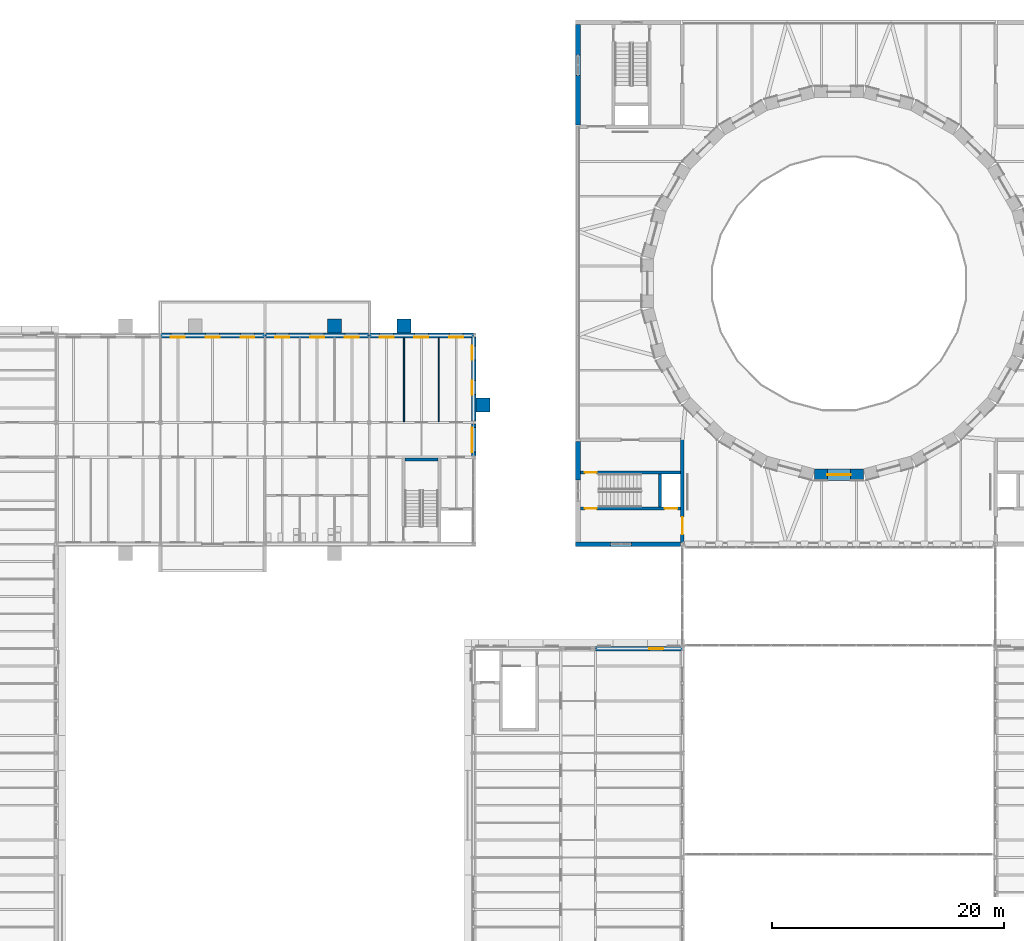
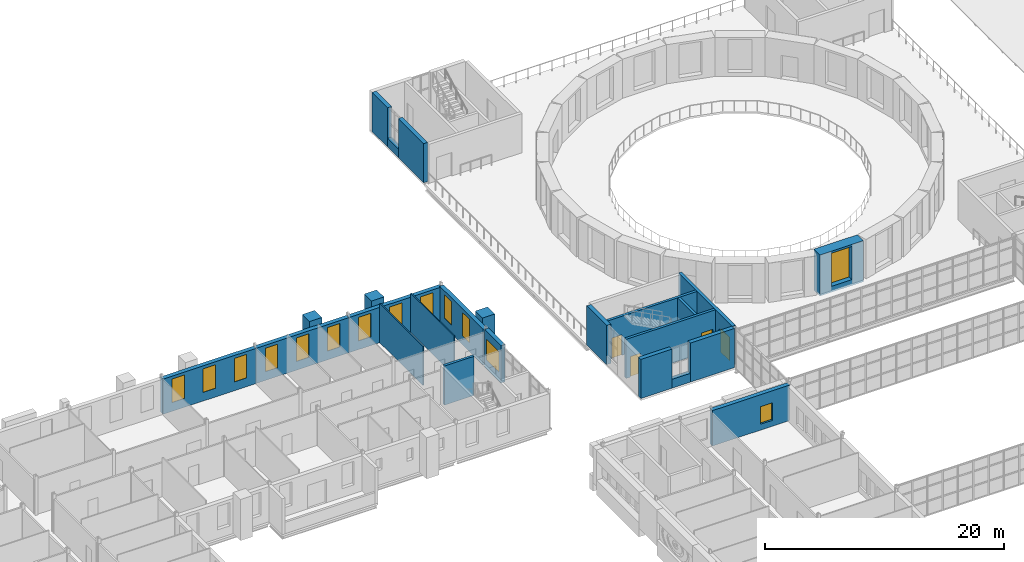
# One storey, part 113 of 154: 24 walls, 14 windows, 4 doors, 18 openings.
"""IFC4 building model written with IfcOpenShell, lengths in metres."""

import ifcopenshell
import ifcopenshell.guid

model = None  # the IFC model being written
_history = None  # IfcOwnerHistory: only IFC2X3 demands one
_inside = {}  # id of a spatial element -> (the spatial element, [elements in it])
_under = {}  # id of a project, library or spatial element -> (it, [spatial elements below it])
_declared = {}  # id of a project -> (the project, [libraries it declares])
_typed = {}  # id of a type object -> (the type object, [elements of that type])
_made_of = {}  # id of a material, layer set ... -> (it, [elements and type objects made of it])


def new_model(schema):
    """Start an empty IFC model of exactly this schema.

    Asked for "IFC4X3", IfcOpenShell would pick the latest addendum, in which some entities
    have other attributes; the version numbers below select the first issue.
    IFC2X3 requires an IfcOwnerHistory on every rooted entity: one is made here for all.
    """
    global model, _history
    if schema == "IFC4X3":
        model = ifcopenshell.file(schema_version=(4, 3, 0, 0))
    else:
        model = ifcopenshell.file(schema=schema)
    _inside.clear()
    _under.clear()
    _declared.clear()
    _typed.clear()
    _made_of.clear()
    _history = None
    if model.schema == "IFC2X3":
        org = make("IfcOrganization", Name="unknown")
        user = make(
            "IfcPersonAndOrganization",
            ThePerson=make("IfcPerson", FamilyName="unknown"),
            TheOrganization=org,
        )
        app = make(
            "IfcApplication",
            ApplicationDeveloper=org,
            Version="unknown",
            ApplicationFullName="unknown",
            ApplicationIdentifier="unknown",
        )
        _history = make(
            "IfcOwnerHistory",
            OwningUser=user,
            OwningApplication=app,
            ChangeAction="ADDED",
            CreationDate=0,
        )
    return model


def make(cls, **values):
    """One entity of the class cls with the attributes given. An attribute that is None is left unset."""
    return model.create_entity(
        cls, **{name: value for name, value in values.items() if value is not None}
    )


def rooted(cls, **values):
    """An entity with a GlobalId (a new one), such as an element, a storey or a relation."""
    return make(cls, GlobalId=ifcopenshell.guid.new(), OwnerHistory=_history, **values)


def si_unit(unit_type, name, prefix=None):
    """IfcSIUnit, for example si_unit("LENGTHUNIT", "METRE", prefix="MILLI")."""
    return make("IfcSIUnit", UnitType=unit_type, Prefix=prefix, Name=name)


def assignment(units):
    """IfcUnitAssignment: the units of a project."""
    return None if units is None else make("IfcUnitAssignment", Units=units)


def point(xyz):
    """IfcCartesianPoint."""
    return None if xyz is None else make("IfcCartesianPoint", Coordinates=xyz)


def direction(xyz):
    """IfcDirection."""
    return None if xyz is None else make("IfcDirection", DirectionRatios=xyz)


def frame(location, z_axis=None, x_axis=None):
    """IfcAxis2Placement3D, a coordinate frame: its origin and axes. An axis left out is left unset."""
    return make(
        "IfcAxis2Placement3D",
        Location=point(location),
        Axis=direction(z_axis),
        RefDirection=direction(x_axis),
    )


def frame_2d(location, x_axis=None):
    """IfcAxis2Placement2D, a coordinate frame in the plane: its origin and x axis."""
    return make(
        "IfcAxis2Placement2D", Location=point(location), RefDirection=direction(x_axis)
    )


def origin():
    """The frame at (0, 0, 0) with its axes left unset."""
    return frame((0.0, 0.0, 0.0))


def place(relative_to, where):
    """IfcLocalPlacement: puts the frame where relative to a parent placement (None: the world)."""
    return make(
        "IfcLocalPlacement", PlacementRelTo=relative_to, RelativePlacement=where
    )


def context(
    kind, dimensions, precision=None, world=None, true_north=None, identifier=None
):
    """IfcGeometricRepresentationContext, for example the 3D "Model" context."""
    return make(
        "IfcGeometricRepresentationContext",
        ContextIdentifier=identifier,
        ContextType=kind,
        CoordinateSpaceDimension=dimensions,
        Precision=precision,
        WorldCoordinateSystem=world,
        TrueNorth=true_north,
    )


def subcontext(parent, identifier, kind, view, scale=None):
    """IfcGeometricRepresentationSubContext, for example "Body" below "Model"."""
    return make(
        "IfcGeometricRepresentationSubContext",
        ContextIdentifier=identifier,
        ContextType=kind,
        ParentContext=parent,
        TargetScale=scale,
        TargetView=view,
    )


def project(units=None, contexts=None):
    """IfcProject with its units and contexts."""
    return rooted(
        "IfcProject",
        Name="project",
        RepresentationContexts=contexts,
        UnitsInContext=assignment(units),
    )


def spatial(cls, under=None, at=None, **own):
    """A site, building, storey or space (cls), placed at a placement, below another one or the project."""
    s = rooted(cls, ObjectPlacement=at, **own)
    if under is not None:
        _under.setdefault(under.id(), (under, []))[1].append(s)
    return s


def profile(cls, at=None, kind="AREA", **sizes):
    """A parametric profile (cls). Its sizes go by their IFC names, for example OverallWidth=200.0."""
    return make(cls, ProfileType=kind, Position=at, **sizes)


def rectangle(**sizes):
    """IfcRectangleProfileDef."""
    return profile("IfcRectangleProfileDef", **sizes)


def extrude(swept, where, along, depth):
    """IfcExtrudedAreaSolid: the profile swept, set in the frame where, extruded along a direction by depth."""
    return make(
        "IfcExtrudedAreaSolid",
        SweptArea=swept,
        Position=where,
        ExtrudedDirection=direction(along),
        Depth=depth,
    )


def shape(context_of_items, identifier, shape_type, items):
    """IfcShapeRepresentation: the items that make up one representation, for example the "Body"."""
    return make(
        "IfcShapeRepresentation",
        ContextOfItems=context_of_items,
        RepresentationIdentifier=identifier,
        RepresentationType=shape_type,
        Items=items,
    )


def material(Name=None, Category=None):
    """IfcMaterial."""
    return make("IfcMaterial", Name=Name, Category=Category)


def layer(
    of_material, thickness, ventilated=None, Name=None, Category=None, Priority=None
):
    """IfcMaterialLayer: one layer of a wall or slab, of a material (None: an air gap)."""
    return make(
        "IfcMaterialLayer",
        Material=of_material,
        LayerThickness=thickness,
        IsVentilated=ventilated,
        Name=Name,
        Category=Category,
        Priority=Priority,
    )


def layer_set(layers, Name=None):
    """IfcMaterialLayerSet."""
    return make("IfcMaterialLayerSet", MaterialLayers=layers, LayerSetName=Name)


def made_of(thing, what):
    """Note that an element or type object is made of a material, layer set ...; save() writes the relation."""
    if what is not None:
        _made_of.setdefault(what.id(), (what, []))[1].append(thing)
    return thing


def type_object(cls, material=None, **own):
    """A type object (cls), such as IfcWallType, which elements share."""
    return made_of(rooted(cls, **own), material)


def element(
    cls,
    number,
    at=None,
    inside=None,
    cuts=None,
    type_object=None,
    material=None,
    context=None,
    identifier="Body",
    shape_type=None,
    held_by="IfcProductDefinitionShape",
    body=None,
    shapes=None,
    **own,
):
    """One element of the class cls, such as IfcWall. Its Tag is "e" and its number.

    at: its placement. inside: the storey or other place that contains it. cuts: it is an
    opening in that element (IfcRelVoidsElement). A single representation is given by context,
    identifier, shape_type and body (its items); several are given by shapes. held_by: the class
    of the entity that holds the representations. save() writes the other relations.
    """
    e = rooted(cls, Tag="e%d" % number, ObjectPlacement=at, **own)
    if body is not None:
        shapes = [shape(context, identifier, shape_type, body)]
    if shapes is not None:
        e.Representation = make(held_by, Representations=shapes)
    if inside is not None:
        _inside.setdefault(inside.id(), (inside, []))[1].append(e)
    if cuts is not None:
        rooted(
            "IfcRelVoidsElement", RelatingBuildingElement=cuts, RelatedOpeningElement=e
        )
    if type_object is not None:
        _typed.setdefault(type_object.id(), (type_object, []))[1].append(e)
    return made_of(e, material)


def fill(opening, filler):
    """IfcRelFillsElement: the door or window that sits in an opening."""
    return rooted(
        "IfcRelFillsElement",
        RelatingOpeningElement=opening,
        RelatedBuildingElement=filler,
    )


def aggregate(whole, parts):
    """IfcRelAggregates: a whole, such as a stair, and the parts it consists of."""
    return rooted("IfcRelAggregates", RelatingObject=whole, RelatedObjects=parts)


def save(model, path):
    """Write the relations noted so far, then the file.

    IfcRelAggregates (storeys below a building ...), IfcRelContainedInSpatialStructure (elements
    in a storey), IfcRelDefinesByType, IfcRelAssociatesMaterial and IfcRelDeclares: one each for
    every whole, place, type object, material and project.
    """
    for whole, parts in _under.values():
        aggregate(whole, parts)
    for where, things in _inside.values():
        rooted(
            "IfcRelContainedInSpatialStructure",
            RelatedElements=things,
            RelatingStructure=where,
        )
    for kind, things in _typed.values():
        rooted("IfcRelDefinesByType", RelatedObjects=things, RelatingType=kind)
    for what, things in _made_of.values():
        rooted("IfcRelAssociatesMaterial", RelatedObjects=things, RelatingMaterial=what)
    for by, libraries in _declared.values():
        rooted("IfcRelDeclares", RelatingContext=by, RelatedDefinitions=libraries)
    model.write(path)


model = new_model("IFC4")

# Units and contexts
model_context = context("Model", 3, precision=1e-05, world=origin(), true_north=direction((0.0, 1.0)))
body_context = subcontext(model_context, "Body", "Model", "MODEL_VIEW")
ifc_project = project(units=[si_unit("LENGTHUNIT", "METRE"), si_unit("AREAUNIT", "SQUARE_METRE"), si_unit("VOLUMEUNIT", "CUBIC_METRE"), si_unit("PLANEANGLEUNIT", "RADIAN"), si_unit("MASSUNIT", "GRAM", prefix="KILO")], contexts=[model_context])

# Site, building, storey
site_placement = place(None, origin())
site = spatial("IfcSite", under=ifc_project, at=site_placement, CompositionType="ELEMENT")
building_placement = place(site_placement, origin())
building = spatial("IfcBuilding", under=site, at=building_placement, Name="Golden Quay Civic Hall", CompositionType="ELEMENT")
storey_placement = place(building_placement, frame((0.0, 0.0, 14.39990234375)))
storey = spatial("IfcBuildingStorey", under=building, at=storey_placement, Name="L03", CompositionType="ELEMENT", Elevation=14.39990234375)

# Wall, openings, windows
ifc_material_1 = material(Name="Brick, dark clay facing", Category="masonry")
ifc_layer_1 = layer(ifc_material_1, 0.39990234375)
ifc_layer_set_1 = layer_set([ifc_layer_1], Name="Brick external wall 400")
wall_type_1 = type_object("IfcWallType", Name="Brick external wall 400", PredefinedType="STANDARD", material=ifc_layer_set_1)
wall_1_placement = place(storey_placement, frame((27.0087890625, 81.0, 0.0), z_axis=(0.0, 0.0, 1.0), x_axis=(1.0, 0.0, 0.0)))
wall_1 = element("IfcWall", 1, at=wall_1_placement, inside=storey, type_object=wall_type_1, Name="Brick external wall 400 L03 3", PredefinedType="STANDARD", context=body_context, shape_type="SweptSolid", body=[
    extrude(rectangle(XDim=8.982421875, YDim=0.39990234375, at=frame_2d((4.4912109375, 0.0))), origin(), (0.0, 0.0, 1.0), 3.60009765625),
])
opening_1_placement = place(wall_1_placement, frame((0.891357421875, 0.0, 0.89990234375)))
opening_1 = element("IfcOpeningElement", 2, at=opening_1_placement, cuts=wall_1, Name="Opening WN7", PredefinedType="OPENING", context=body_context, shape_type="SweptSolid", body=[
    extrude(rectangle(XDim=1.199951171875, YDim=2.39990234375, at=frame_2d((0.60009765625, 1.199951171875))), frame((0.0, 0.2099609375, 0.0), z_axis=(0.0, -1.0, 0.0), x_axis=(1.0, 0.0, 0.0)), (0.0, 0.0, 1.0), 0.419921875),
])
opening_2_placement = place(wall_1_placement, frame((3.891357421875, 0.0, 0.89990234375)))
opening_2 = element("IfcOpeningElement", 3, at=opening_2_placement, cuts=wall_1, Name="Opening WN7", PredefinedType="OPENING", context=body_context, shape_type="SweptSolid", body=[
    extrude(rectangle(XDim=1.199951171875, YDim=2.39990234375, at=frame_2d((0.60009765625, 1.199951171875))), frame((0.0, 0.2099609375, 0.0), z_axis=(0.0, -1.0, 0.0), x_axis=(1.0, 0.0, 0.0)), (0.0, 0.0, 1.0), 0.419921875),
])
opening_3_placement = place(wall_1_placement, frame((6.891357421875, 0.0, 0.89990234375)))
opening_3 = element("IfcOpeningElement", 4, at=opening_3_placement, cuts=wall_1, Name="Opening WN7", PredefinedType="OPENING", context=body_context, shape_type="SweptSolid", body=[
    extrude(rectangle(XDim=1.199951171875, YDim=2.39990234375, at=frame_2d((0.60009765625, 1.199951171875))), frame((0.0, 0.2099609375, 0.0), z_axis=(0.0, -1.0, 0.0), x_axis=(1.0, 0.0, 0.0)), (0.0, 0.0, 1.0), 0.419921875),
])
ifc_material_2 = material(Name="Aluminium frame, double glazed", Category="aluminium")
window_type_1 = type_object("IfcWindowType", Name="Window 1200 x 2400", PartitioningType="SINGLE_PANEL", PredefinedType="WINDOW", material=ifc_material_2)
window_1_placement = place(opening_1_placement, origin())
window_1 = element("IfcWindow", 5, at=window_1_placement, inside=storey, type_object=window_type_1, Name="Window 1200 x 2400 L03 7", OverallHeight=2.39990234375, OverallWidth=1.199951171875, PartitioningType="SINGLE_PANEL", PredefinedType="WINDOW", context=body_context, shape_type="SweptSolid", body=[
    extrude(rectangle(XDim=1.199951171875, YDim=2.39990234375, at=frame_2d((0.60009765625, 1.199951171875))), frame((0.0, -0.119873046875, 0.0), z_axis=(0.0, -1.0, 0.0), x_axis=(1.0, 0.0, 0.0)), (0.0, 0.0, 1.0), 0.06005859375),
])
fill(opening_1, window_1)
window_2_placement = place(opening_2_placement, origin())
window_2 = element("IfcWindow", 6, at=window_2_placement, inside=storey, type_object=window_type_1, Name="Window 1200 x 2400 L03 8", OverallHeight=2.39990234375, OverallWidth=1.199951171875, PartitioningType="SINGLE_PANEL", PredefinedType="WINDOW", context=body_context, shape_type="SweptSolid", body=[
    extrude(rectangle(XDim=1.199951171875, YDim=2.39990234375, at=frame_2d((0.60009765625, 1.199951171875))), frame((0.0, -0.119873046875, 0.0), z_axis=(0.0, -1.0, 0.0), x_axis=(1.0, 0.0, 0.0)), (0.0, 0.0, 1.0), 0.06005859375),
])
fill(opening_2, window_2)
window_3_placement = place(opening_3_placement, origin())
window_3 = element("IfcWindow", 7, at=window_3_placement, inside=storey, type_object=window_type_1, Name="Window 1200 x 2400 L03 9", OverallHeight=2.39990234375, OverallWidth=1.199951171875, PartitioningType="SINGLE_PANEL", PredefinedType="WINDOW", context=body_context, shape_type="SweptSolid", body=[
    extrude(rectangle(XDim=1.199951171875, YDim=2.39990234375, at=frame_2d((0.60009765625, 1.199951171875))), frame((0.0, -0.119873046875, 0.0), z_axis=(0.0, -1.0, 0.0), x_axis=(1.0, 0.0, 0.0)), (0.0, 0.0, 1.0), 0.06005859375),
])
fill(opening_3, window_3)

wall_2_placement = place(storey_placement, frame((36.0087890625, 81.0, 0.0), z_axis=(0.0, 0.0, 1.0), x_axis=(1.0, 0.0, 0.0)))
wall_2 = element("IfcWall", 8, at=wall_2_placement, inside=storey, type_object=wall_type_1, Name="Brick external wall 400 L03 4", PredefinedType="STANDARD", context=body_context, shape_type="SweptSolid", body=[
    extrude(rectangle(XDim=8.982421875, YDim=0.39990234375, at=frame_2d((4.4912109375, 0.0))), origin(), (0.0, 0.0, 1.0), 3.60009765625),
])
opening_4_placement = place(wall_2_placement, frame((0.891357421875, 0.0, 0.89990234375)))
opening_4 = element("IfcOpeningElement", 9, at=opening_4_placement, cuts=wall_2, Name="Opening WN7", PredefinedType="OPENING", context=body_context, shape_type="SweptSolid", body=[
    extrude(rectangle(XDim=1.199951171875, YDim=2.39990234375, at=frame_2d((0.60009765625, 1.199951171875))), frame((0.0, 0.2099609375, 0.0), z_axis=(0.0, -1.0, 0.0), x_axis=(1.0, 0.0, 0.0)), (0.0, 0.0, 1.0), 0.419921875),
])
opening_5_placement = place(wall_2_placement, frame((3.891357421875, 0.0, 0.89990234375)))
opening_5 = element("IfcOpeningElement", 10, at=opening_5_placement, cuts=wall_2, Name="Opening WN7", PredefinedType="OPENING", context=body_context, shape_type="SweptSolid", body=[
    extrude(rectangle(XDim=1.199951171875, YDim=2.39990234375, at=frame_2d((0.60009765625, 1.199951171875))), frame((0.0, 0.2099609375, 0.0), z_axis=(0.0, -1.0, 0.0), x_axis=(1.0, 0.0, 0.0)), (0.0, 0.0, 1.0), 0.419921875),
])
opening_6_placement = place(wall_2_placement, frame((6.891357421875, 0.0, 0.89990234375)))
opening_6 = element("IfcOpeningElement", 11, at=opening_6_placement, cuts=wall_2, Name="Opening WN7", PredefinedType="OPENING", context=body_context, shape_type="SweptSolid", body=[
    extrude(rectangle(XDim=1.199951171875, YDim=2.39990234375, at=frame_2d((0.60009765625, 1.199951171875))), frame((0.0, 0.2099609375, 0.0), z_axis=(0.0, -1.0, 0.0), x_axis=(1.0, 0.0, 0.0)), (0.0, 0.0, 1.0), 0.419921875),
])
window_4_placement = place(opening_4_placement, origin())
window_4 = element("IfcWindow", 12, at=window_4_placement, inside=storey, type_object=window_type_1, Name="Window 1200 x 2400 L03 10", OverallHeight=2.39990234375, OverallWidth=1.199951171875, PartitioningType="SINGLE_PANEL", PredefinedType="WINDOW", context=body_context, shape_type="SweptSolid", body=[
    extrude(rectangle(XDim=1.199951171875, YDim=2.39990234375, at=frame_2d((0.60009765625, 1.199951171875))), frame((0.0, -0.119873046875, 0.0), z_axis=(0.0, -1.0, 0.0), x_axis=(1.0, 0.0, 0.0)), (0.0, 0.0, 1.0), 0.06005859375),
])
fill(opening_4, window_4)
window_5_placement = place(opening_5_placement, origin())
window_5 = element("IfcWindow", 13, at=window_5_placement, inside=storey, type_object=window_type_1, Name="Window 1200 x 2400 L03 11", OverallHeight=2.39990234375, OverallWidth=1.199951171875, PartitioningType="SINGLE_PANEL", PredefinedType="WINDOW", context=body_context, shape_type="SweptSolid", body=[
    extrude(rectangle(XDim=1.199951171875, YDim=2.39990234375, at=frame_2d((0.60009765625, 1.199951171875))), frame((0.0, -0.119873046875, 0.0), z_axis=(0.0, -1.0, 0.0), x_axis=(1.0, 0.0, 0.0)), (0.0, 0.0, 1.0), 0.06005859375),
])
fill(opening_5, window_5)
window_6_placement = place(opening_6_placement, origin())
window_6 = element("IfcWindow", 14, at=window_6_placement, inside=storey, type_object=window_type_1, Name="Window 1200 x 2400 L03 12", OverallHeight=2.39990234375, OverallWidth=1.199951171875, PartitioningType="SINGLE_PANEL", PredefinedType="WINDOW", context=body_context, shape_type="SweptSolid", body=[
    extrude(rectangle(XDim=1.199951171875, YDim=2.39990234375, at=frame_2d((0.60009765625, 1.199951171875))), frame((0.0, -0.119873046875, 0.0), z_axis=(0.0, -1.0, 0.0), x_axis=(1.0, 0.0, 0.0)), (0.0, 0.0, 1.0), 0.06005859375),
])
fill(opening_6, window_6)

wall_3_placement = place(storey_placement, frame((45.0087890625, 81.0, 0.0), z_axis=(0.0, 0.0, 1.0), x_axis=(1.0, 0.0, 0.0)))
wall_3 = element("IfcWall", 15, at=wall_3_placement, inside=storey, type_object=wall_type_1, Name="Brick external wall 400 L03 5", PredefinedType="STANDARD", context=body_context, shape_type="SweptSolid", body=[
    extrude(rectangle(XDim=8.982421875, YDim=0.39990234375, at=frame_2d((4.4912109375, 0.0))), origin(), (0.0, 0.0, 1.0), 3.60009765625),
])
opening_7_placement = place(wall_3_placement, frame((0.891357421875, 0.0, 0.89990234375)))
opening_7 = element("IfcOpeningElement", 16, at=opening_7_placement, cuts=wall_3, Name="Opening WN7", PredefinedType="OPENING", context=body_context, shape_type="SweptSolid", body=[
    extrude(rectangle(XDim=1.199951171875, YDim=2.39990234375, at=frame_2d((0.60009765625, 1.199951171875))), frame((0.0, 0.2099609375, 0.0), z_axis=(0.0, -1.0, 0.0), x_axis=(1.0, 0.0, 0.0)), (0.0, 0.0, 1.0), 0.419921875),
])
opening_8_placement = place(wall_3_placement, frame((3.891357421875, 0.0, 0.89990234375)))
opening_8 = element("IfcOpeningElement", 17, at=opening_8_placement, cuts=wall_3, Name="Opening WN7", PredefinedType="OPENING", context=body_context, shape_type="SweptSolid", body=[
    extrude(rectangle(XDim=1.199951171875, YDim=2.39990234375, at=frame_2d((0.60009765625, 1.199951171875))), frame((0.0, 0.2099609375, 0.0), z_axis=(0.0, -1.0, 0.0), x_axis=(1.0, 0.0, 0.0)), (0.0, 0.0, 1.0), 0.419921875),
])
opening_9_placement = place(wall_3_placement, frame((6.891357421875, 0.0, 0.89990234375)))
opening_9 = element("IfcOpeningElement", 18, at=opening_9_placement, cuts=wall_3, Name="Opening WN7", PredefinedType="OPENING", context=body_context, shape_type="SweptSolid", body=[
    extrude(rectangle(XDim=1.199951171875, YDim=2.39990234375, at=frame_2d((0.60009765625, 1.199951171875))), frame((0.0, 0.2099609375, 0.0), z_axis=(0.0, -1.0, 0.0), x_axis=(1.0, 0.0, 0.0)), (0.0, 0.0, 1.0), 0.419921875),
])
window_7_placement = place(opening_7_placement, origin())
window_7 = element("IfcWindow", 19, at=window_7_placement, inside=storey, type_object=window_type_1, Name="Window 1200 x 2400 L03 13", OverallHeight=2.39990234375, OverallWidth=1.199951171875, PartitioningType="SINGLE_PANEL", PredefinedType="WINDOW", context=body_context, shape_type="SweptSolid", body=[
    extrude(rectangle(XDim=1.199951171875, YDim=2.39990234375, at=frame_2d((0.60009765625, 1.199951171875))), frame((0.0, -0.119873046875, 0.0), z_axis=(0.0, -1.0, 0.0), x_axis=(1.0, 0.0, 0.0)), (0.0, 0.0, 1.0), 0.06005859375),
])
fill(opening_7, window_7)
window_8_placement = place(opening_8_placement, origin())
window_8 = element("IfcWindow", 20, at=window_8_placement, inside=storey, type_object=window_type_1, Name="Window 1200 x 2400 L03 14", OverallHeight=2.39990234375, OverallWidth=1.199951171875, PartitioningType="SINGLE_PANEL", PredefinedType="WINDOW", context=body_context, shape_type="SweptSolid", body=[
    extrude(rectangle(XDim=1.199951171875, YDim=2.39990234375, at=frame_2d((0.60009765625, 1.199951171875))), frame((0.0, -0.119873046875, 0.0), z_axis=(0.0, -1.0, 0.0), x_axis=(1.0, 0.0, 0.0)), (0.0, 0.0, 1.0), 0.06005859375),
])
fill(opening_8, window_8)
window_9_placement = place(opening_9_placement, origin())
window_9 = element("IfcWindow", 21, at=window_9_placement, inside=storey, type_object=window_type_1, Name="Window 1200 x 2400 L03 15", OverallHeight=2.39990234375, OverallWidth=1.199951171875, PartitioningType="SINGLE_PANEL", PredefinedType="WINDOW", context=body_context, shape_type="SweptSolid", body=[
    extrude(rectangle(XDim=1.199951171875, YDim=2.39990234375, at=frame_2d((0.60009765625, 1.199951171875))), frame((0.0, -0.119873046875, 0.0), z_axis=(0.0, -1.0, 0.0), x_axis=(1.0, 0.0, 0.0)), (0.0, 0.0, 1.0), 0.06005859375),
])
fill(opening_9, window_9)

# Wall, opening, window
wall_4_placement = place(storey_placement, frame((54.0, 73.385009765625, 0.0), z_axis=(0.0, 0.0, 1.0), x_axis=(0.0, -1.0, 0.0)))
wall_4 = element("IfcWall", 22, at=wall_4_placement, inside=storey, type_object=wall_type_1, Name="Brick external wall 400 L03 6", PredefinedType="STANDARD", context=body_context, shape_type="SweptSolid", body=[
    extrude(rectangle(XDim=2.77001953125, YDim=0.39990234375, at=frame_2d((1.385009765625, 0.0))), origin(), (0.0, 0.0, 1.0), 3.800048828125),
])
opening_10_placement = place(wall_4_placement, frame((0.3349609375, 0.0, 0.89990234375)))
opening_10 = element("IfcOpeningElement", 23, at=opening_10_placement, cuts=wall_4, Name="Opening WN2", PredefinedType="OPENING", context=body_context, shape_type="SweptSolid", body=[
    extrude(rectangle(XDim=2.10009765625, YDim=2.10009765625, at=frame_2d((1.050048828125, 1.050048828125))), frame((0.0, 0.2099609375, 0.0), z_axis=(0.0, -1.0, 0.0), x_axis=(1.0, 0.0, 0.0)), (0.0, 0.0, 1.0), 0.419921875),
])
ifc_material_3 = material(Name="Aluminium frame, double glazed", Category="aluminium")
window_type_2 = type_object("IfcWindowType", Name="Corridor end window 2100 x 2100", PartitioningType="SINGLE_PANEL", PredefinedType="WINDOW", material=ifc_material_3)
window_10_placement = place(opening_10_placement, origin())
window_10 = element("IfcWindow", 24, at=window_10_placement, inside=storey, type_object=window_type_2, Name="Corridor end window 2100 x 2100 L03 1", OverallHeight=2.10009765625, OverallWidth=2.10009765625, PartitioningType="SINGLE_PANEL", PredefinedType="WINDOW", context=body_context, shape_type="SweptSolid", body=[
    extrude(rectangle(XDim=2.10009765625, YDim=2.10009765625, at=frame_2d((1.050048828125, 1.050048828125))), frame((0.0, -0.119873046875, 0.0), z_axis=(0.0, -1.0, 0.0), x_axis=(1.0, 0.0, 0.0)), (0.0, 0.0, 1.0), 0.06005859375),
])
fill(opening_10, window_10)

# Wall, openings, windows
wall_5_placement = place(storey_placement, frame((54.0, 80.885009765625, 0.0), z_axis=(0.0, 0.0, 1.0), x_axis=(0.0, -1.0, 0.0)))
wall_5 = element("IfcWall", 25, at=wall_5_placement, inside=storey, type_object=wall_type_1, Name="Brick external wall 400 L03 7", PredefinedType="STANDARD", context=body_context, shape_type="SweptSolid", body=[
    extrude(rectangle(XDim=7.27001953125, YDim=0.39990234375, at=frame_2d((3.635009765625, 0.0))), origin(), (0.0, 0.0, 1.0), 3.670166015625),
])
opening_11_placement = place(wall_5_placement, frame((3.784912109375, 0.0, 0.89990234375)))
opening_11 = element("IfcOpeningElement", 26, at=opening_11_placement, cuts=wall_5, Name="Opening WN7", PredefinedType="OPENING", context=body_context, shape_type="SweptSolid", body=[
    extrude(rectangle(XDim=1.199951171875, YDim=2.39990234375, at=frame_2d((0.60009765625, 1.199951171875))), frame((0.0, 0.2099609375, 0.0), z_axis=(0.0, -1.0, 0.0), x_axis=(1.0, 0.0, 0.0)), (0.0, 0.0, 1.0), 0.419921875),
])
opening_12_placement = place(wall_5_placement, frame((0.784912109375, 0.0, 0.89990234375)))
opening_12 = element("IfcOpeningElement", 27, at=opening_12_placement, cuts=wall_5, Name="Opening WN7", PredefinedType="OPENING", context=body_context, shape_type="SweptSolid", body=[
    extrude(rectangle(XDim=1.199951171875, YDim=2.39990234375, at=frame_2d((0.60009765625, 1.199951171875))), frame((0.0, 0.2099609375, 0.0), z_axis=(0.0, -1.0, 0.0), x_axis=(1.0, 0.0, 0.0)), (0.0, 0.0, 1.0), 0.419921875),
])
window_11_placement = place(opening_11_placement, origin())
window_11 = element("IfcWindow", 28, at=window_11_placement, inside=storey, type_object=window_type_1, Name="Window 1200 x 2400 L03 16", OverallHeight=2.39990234375, OverallWidth=1.199951171875, PartitioningType="SINGLE_PANEL", PredefinedType="WINDOW", context=body_context, shape_type="SweptSolid", body=[
    extrude(rectangle(XDim=1.199951171875, YDim=2.39990234375, at=frame_2d((0.60009765625, 1.199951171875))), frame((0.0, -0.119873046875, 0.0), z_axis=(0.0, -1.0, 0.0), x_axis=(1.0, 0.0, 0.0)), (0.0, 0.0, 1.0), 0.06005859375),
])
fill(opening_11, window_11)
window_12_placement = place(opening_12_placement, origin())
window_12 = element("IfcWindow", 29, at=window_12_placement, inside=storey, type_object=window_type_1, Name="Window 1200 x 2400 L03 17", OverallHeight=2.39990234375, OverallWidth=1.199951171875, PartitioningType="SINGLE_PANEL", PredefinedType="WINDOW", context=body_context, shape_type="SweptSolid", body=[
    extrude(rectangle(XDim=1.199951171875, YDim=2.39990234375, at=frame_2d((0.60009765625, 1.199951171875))), frame((0.0, -0.119873046875, 0.0), z_axis=(0.0, -1.0, 0.0), x_axis=(1.0, 0.0, 0.0)), (0.0, 0.0, 1.0), 0.06005859375),
])
fill(opening_12, window_12)

# Walls
ifc_material_4 = material(Name="Brick, dark clay facing", Category="masonry")
ifc_layer_2 = layer(ifc_material_4, 1.199951171875)
ifc_layer_set_2 = layer_set([ifc_layer_2], Name="Brick pilaster 1200 x 1200")
wall_type_2 = type_object("IfcWallType", Name="Brick pilaster 1200 x 1200", PredefinedType="STANDARD", material=ifc_layer_set_2)
for number, where, z_axis, x_axis, name in (
    (30, (41.39990234375, 81.800048828125, 0.0), (0.0, 0.0, 1.0), (1.0, 0.0, 0.0), "Brick pilaster 1200 x 1200 L03 3"),
    (31, (47.39990234375, 81.800048828125, 0.0), (0.0, 0.0, 1.0), (1.0, 0.0, 0.0), "Brick pilaster 1200 x 1200 L03 4"),
    (32, (54.800048828125, 74.39990234375, 0.0), (0.0, 0.0, 1.0), (0.0, 1.0, 0.0), "Brick pilaster 1200 x 1200 L03 5"),
):
    element("IfcWall", number, at=place(storey_placement, frame(where, z_axis=z_axis, x_axis=x_axis)), inside=storey, type_object=wall_type_2, Name=name, PredefinedType="STANDARD", context=body_context, shape_type="SweptSolid", body=[
        extrude(rectangle(XDim=1.2001953125, YDim=1.199951171875, at=frame_2d((0.60009765625, 0.0))), origin(), (0.0, 0.0, 1.0), 4.2001953125),
    ])
ifc_material_5 = material(Name="Concrete C40/50", Category="concrete")
ifc_layer_3 = layer(ifc_material_5, 0.25)
ifc_layer_set_3 = layer_set([ifc_layer_3], Name="Concrete core wall 250, Concrete C40/50")
wall_type_3 = type_object("IfcWallType", Name="Concrete core wall 250", PredefinedType="SHEAR", material=ifc_layer_set_3)
wall_6_placement = place(storey_placement, frame((48.074951171875, 70.300048828125, 0.0), z_axis=(0.0, 0.0, 1.0), x_axis=(1.0, 0.0, 0.0)))
element("IfcWall", 33, at=wall_6_placement, inside=storey, type_object=wall_type_3, Name="Core wall NW-E-W3", PredefinedType="SHEAR", context=body_context, shape_type="SweptSolid", body=[
    extrude(rectangle(XDim=2.85009765625, YDim=0.25, at=frame_2d((1.425048828125, 0.0))), origin(), (0.0, 0.0, 1.0), 4.0),
])
ifc_material_6 = material(Name="Plasterboard on steel studs", Category="steel")
ifc_layer_4 = layer(ifc_material_6, 0.10009765625)
ifc_layer_set_4 = layer_set([ifc_layer_4], Name="Partition 100 stud")
wall_type_4 = type_object("IfcWallType", Name="Partition 100 stud", PredefinedType="PARTITIONING", material=ifc_layer_set_4)
for number, where, z_axis, x_axis, name in (
    (34, (48.0, 73.574951171875, 0.0), (0.0, 0.0, 1.0), (0.0, 1.0, 0.0), "Partition L03-009"),
    (35, (51.0, 73.574951171875, 0.0), (0.0, 0.0, 1.0), (0.0, 1.0, 0.0), "Partition L03-010"),
):
    element("IfcWall", number, at=place(storey_placement, frame(where, z_axis=z_axis, x_axis=x_axis)), inside=storey, type_object=wall_type_4, Name=name, PredefinedType="PARTITIONING", context=body_context, shape_type="SweptSolid", body=[
        extrude(rectangle(XDim=7.22509765625, YDim=0.10009765625, at=frame_2d((3.612548828125, 0.0))), origin(), (0.0, 0.0, 1.0), 4.0),
    ])

# Wall, opening, window
ifc_material_7 = material(Name="Concrete C40/50", Category="concrete")
ifc_layer_5 = layer(ifc_material_7, 1.0)
ifc_layer_set_5 = layer_set([ifc_layer_5], Name="Reinforced concrete drum wall 1000, Concrete C40/50")
wall_type_5 = type_object("IfcWallType", Name="Reinforced concrete drum wall 1000", PredefinedType="SHEAR", material=ifc_layer_set_5)
wall_7_placement = place(storey_placement, frame((83.3935546875, 69.0, -0.199951171875), z_axis=(0.0, 0.0, 1.0), x_axis=(1.0, 0.0, 0.0)))
wall_7 = element("IfcWall", 36, at=wall_7_placement, inside=storey, type_object=wall_type_5, Name="Council drum wall 18", PredefinedType="SHEAR", context=body_context, shape_type="SweptSolid", body=[
    extrude(rectangle(XDim=4.212890625, YDim=1.0, at=frame_2d((2.1064453125, 0.0))), origin(), (0.0, 0.0, 1.0), 4.199951171875),
])
opening_13_placement = place(wall_7_placement, frame((1.1064453125, 0.0, 0.60009765625)))
opening_13 = element("IfcOpeningElement", 37, at=opening_13_placement, cuts=wall_7, Name="Opening WN16", PredefinedType="OPENING", context=body_context, shape_type="SweptSolid", body=[
    extrude(rectangle(XDim=2.0, YDim=3.39990234375, at=frame_2d((1.0, 1.699951171875))), frame((0.0, 0.510009765625, 0.0), z_axis=(0.0, -1.0, 0.0), x_axis=(1.0, 0.0, 0.0)), (0.0, 0.0, 1.0), 1.02001953125),
])
ifc_material_8 = material(Name="Aluminium frame, double glazed", Category="aluminium")
window_type_3 = type_object("IfcWindowType", Name="Drum window 2000 x 3400", PartitioningType="SINGLE_PANEL", PredefinedType="WINDOW", material=ifc_material_8)
window_13_placement = place(opening_13_placement, origin())
window_13 = element("IfcWindow", 38, at=window_13_placement, inside=storey, type_object=window_type_3, Name="Gallery window 18", OverallHeight=3.39990234375, OverallWidth=2.0, PartitioningType="SINGLE_PANEL", PredefinedType="WINDOW", context=body_context, shape_type="SweptSolid", body=[
    extrude(rectangle(XDim=2.0, YDim=3.39990234375, at=frame_2d((1.0, 1.699951171875))), frame((0.0, 0.030029296875, 0.0), z_axis=(0.0, -1.0, 0.0), x_axis=(1.0, 0.0, 0.0)), (0.0, 0.0, 1.0), 0.06005859375),
])
fill(opening_13, window_13)

# Wall, opening, door
ifc_material_9 = material(Name="Concrete C40/50", Category="concrete")
ifc_layer_6 = layer(ifc_material_9, 0.300048828125)
ifc_layer_set_6 = layer_set([ifc_layer_6], Name="Reinforced concrete pocket wall 300, Concrete C40/50")
wall_type_6 = type_object("IfcWallType", Name="Reinforced concrete pocket wall 300", PredefinedType="SHEAR", material=ifc_layer_set_6)
wall_8_placement = place(storey_placement, frame((72.0, 63.14990234375, 0.0), z_axis=(0.0, 0.0, 1.0), x_axis=(0.0, 1.0, 0.0)))
wall_8 = element("IfcWall", 39, at=wall_8_placement, inside=storey, type_object=wall_type_6, Name="Core wall SW A", PredefinedType="SHEAR", context=body_context, shape_type="SweptSolid", body=[
    extrude(rectangle(XDim=9.0, YDim=0.300048828125, at=frame_2d((4.5, 0.0))), origin(), (0.0, 0.0, 1.0), 4.0),
])
opening_14_placement = place(wall_8_placement, frame((0.699951171875, 0.0, 0.0)))
opening_14 = element("IfcOpeningElement", 40, at=opening_14_placement, cuts=wall_8, Name="Opening L03-D127", PredefinedType="OPENING", context=body_context, shape_type="SweptSolid", body=[
    extrude(rectangle(XDim=1.5, YDim=2.39990234375, at=frame_2d((0.75, 1.199951171875))), frame((0.0, 0.159912109375, 0.0), z_axis=(0.0, -1.0, 0.0), x_axis=(1.0, 0.0, 0.0)), (0.0, 0.0, 1.0), 0.320068359375),
])
ifc_material_10 = material(Name="Steel", Category="steel")
door_type_1 = type_object("IfcDoorType", Name="Steel double fire door FD60 1500 x 2400", OperationType="DOUBLE_DOOR_SINGLE_SWING", PredefinedType="DOOR", material=ifc_material_10)
door_1_placement = place(opening_14_placement, frame((1.5, 0.0, 0.0), z_axis=(0.0, 0.0, 1.0), x_axis=(-1.0, 0.0, 0.0)))
door_1 = element("IfcDoor", 41, at=door_1_placement, inside=storey, type_object=door_type_1, Name="Gallery lobby door SW 1", OperationType="DOUBLE_DOOR_SINGLE_SWING", OverallHeight=2.39990234375, OverallWidth=1.5, PredefinedType="DOOR", context=body_context, shape_type="SweptSolid", body=[
    extrude(rectangle(XDim=1.5, YDim=2.39990234375, at=frame_2d((0.75, 1.199951171875))), frame((0.0, 0.025146484375, 0.0), z_axis=(0.0, -1.0, 0.0), x_axis=(1.0, 0.0, 0.0)), (0.0, 0.0, 1.0), 0.050048828125),
])
fill(opening_14, door_1)

# Wall, openings, doors
ifc_material_11 = material(Name="Concrete C40/50", Category="concrete")
ifc_layer_7 = layer(ifc_material_11, 0.25)
ifc_layer_set_7 = layer_set([ifc_layer_7], Name="Reinforced concrete shaft wall 250, Concrete C40/50")
wall_type_7 = type_object("IfcWallType", Name="Reinforced concrete shaft wall 250", PredefinedType="SHEAR", material=ifc_layer_set_7)
wall_9_placement = place(storey_placement, frame((63.199951171875, 66.074951171875, 0.0), z_axis=(0.0, 0.0, 1.0), x_axis=(1.0, 0.0, 0.0)))
wall_9 = element("IfcWall", 42, at=wall_9_placement, inside=storey, type_object=wall_type_7, Name="Shaft wall SW 1", PredefinedType="SHEAR", context=body_context, shape_type="SweptSolid", body=[
    extrude(rectangle(XDim=8.650146484375, YDim=0.25, at=frame_2d((4.3251953125, 0.0))), origin(), (0.0, 0.0, 1.0), 4.0),
])
opening_15_placement = place(wall_9_placement, frame((0.39990234375, 0.0, 0.0)))
opening_15 = element("IfcOpeningElement", 43, at=opening_15_placement, cuts=wall_9, Name="Opening L03-D126", PredefinedType="OPENING", context=body_context, shape_type="SweptSolid", body=[
    extrude(rectangle(XDim=1.0, YDim=2.10009765625, at=frame_2d((0.5, 1.050048828125))), frame((0.0, 0.135009765625, 0.0), z_axis=(0.0, -1.0, 0.0), x_axis=(1.0, 0.0, 0.0)), (0.0, 0.0, 1.0), 0.27001953125),
])
opening_16_placement = place(wall_9_placement, frame((7.27490234375, 0.0, 0.0)))
opening_16 = element("IfcOpeningElement", 44, at=opening_16_placement, cuts=wall_9, Name="Opening L03-D130", PredefinedType="OPENING", context=body_context, shape_type="SweptSolid", body=[
    extrude(rectangle(XDim=1.10009765625, YDim=2.10009765625, at=frame_2d((0.550048828125, 1.050048828125))), frame((0.0, 0.135009765625, 0.0), z_axis=(0.0, -1.0, 0.0), x_axis=(1.0, 0.0, 0.0)), (0.0, 0.0, 1.0), 0.27001953125),
])
ifc_material_12 = material(Name="Steel", Category="steel")
door_type_2 = type_object("IfcDoorType", Name="Lift landing door 1100 x 2100", OperationType="SLIDING_TO_LEFT", PredefinedType="DOOR", material=ifc_material_12)
door_2_placement = place(opening_16_placement, frame((1.10009765625, 0.0, 0.0), z_axis=(0.0, 0.0, 1.0), x_axis=(-1.0, 0.0, 0.0)))
door_2 = element("IfcDoor", 45, at=door_2_placement, inside=storey, type_object=door_type_2, Name="Lift SW landing door", OperationType="SLIDING_TO_LEFT", OverallHeight=2.10009765625, OverallWidth=1.10009765625, PredefinedType="DOOR", context=body_context, shape_type="SweptSolid", body=[
    extrude(rectangle(XDim=1.10009765625, YDim=2.10009765625, at=frame_2d((0.550048828125, 1.050048828125))), frame((0.0, 0.025146484375, 0.0), z_axis=(0.0, -1.0, 0.0), x_axis=(1.0, 0.0, 0.0)), (0.0, 0.0, 1.0), 0.050048828125),
])
fill(opening_16, door_2)
ifc_material_13 = material(Name="Steel", Category="steel")
door_type_3 = type_object("IfcDoorType", Name="Steel fire door FD60 1100 x 2100", OperationType="SINGLE_SWING_LEFT", PredefinedType="DOOR", material=ifc_material_13)
door_3_placement = place(opening_15_placement, origin())
door_3 = element("IfcDoor", 46, at=door_3_placement, inside=storey, type_object=door_type_3, Name="Stair door SW", OperationType="SINGLE_SWING_LEFT", OverallHeight=2.10009765625, OverallWidth=1.0, PredefinedType="DOOR", context=body_context, shape_type="SweptSolid", body=[
    extrude(rectangle(XDim=1.0, YDim=2.10009765625, at=frame_2d((0.5, 1.050048828125))), frame((0.0, 0.02490234375, 0.0), z_axis=(0.0, -1.0, 0.0), x_axis=(1.0, 0.0, 0.0)), (0.0, 0.0, 1.0), 0.050048828125),
])
fill(opening_15, door_3)

# Wall, opening, door
wall_10_placement = place(storey_placement, frame((63.199951171875, 69.175048828125, 0.0), z_axis=(0.0, 0.0, 1.0), x_axis=(1.0, 0.0, 0.0)))
wall_10 = element("IfcWall", 47, at=wall_10_placement, inside=storey, type_object=wall_type_7, Name="Shaft wall SW 2", PredefinedType="SHEAR", context=body_context, shape_type="SweptSolid", body=[
    extrude(rectangle(XDim=8.650146484375, YDim=0.25, at=frame_2d((4.3251953125, 0.0))), origin(), (0.0, 0.0, 1.0), 4.0),
])
opening_17_placement = place(wall_10_placement, frame((0.39990234375, 0.0, 0.0)))
opening_17 = element("IfcOpeningElement", 48, at=opening_17_placement, cuts=wall_10, Name="Opening L03-D129", PredefinedType="OPENING", context=body_context, shape_type="SweptSolid", body=[
    extrude(rectangle(XDim=1.0, YDim=2.10009765625, at=frame_2d((0.5, 1.050048828125))), frame((0.0, 0.135009765625, 0.0), z_axis=(0.0, -1.0, 0.0), x_axis=(1.0, 0.0, 0.0)), (0.0, 0.0, 1.0), 0.27001953125),
])
door_4_placement = place(opening_17_placement, frame((1.0, 0.0, 0.0), z_axis=(0.0, 0.0, 1.0), x_axis=(-1.0, 0.0, 0.0)))
door_4 = element("IfcDoor", 49, at=door_4_placement, inside=storey, type_object=door_type_3, Name="Stair door SW north", OperationType="SINGLE_SWING_RIGHT", OverallHeight=2.10009765625, OverallWidth=1.0, PredefinedType="DOOR", context=body_context, shape_type="SweptSolid", body=[
    extrude(rectangle(XDim=1.0, YDim=2.10009765625, at=frame_2d((0.5, 1.050048828125))), frame((0.0, 0.025146484375, 0.0), z_axis=(0.0, -1.0, 0.0), x_axis=(1.0, 0.0, 0.0)), (0.0, 0.0, 1.0), 0.050048828125),
])
fill(opening_17, door_4)

# Wall
wall_11_placement = place(storey_placement, frame((70.074951171875, 66.199951171875, 0.0), z_axis=(0.0, 0.0, 1.0), x_axis=(0.0, 1.0, 0.0)))
element("IfcWall", 50, at=wall_11_placement, inside=storey, type_object=wall_type_7, Name="Shaft wall SW 3", PredefinedType="SHEAR", context=body_context, shape_type="SweptSolid", body=[
    extrude(rectangle(XDim=2.85009765625, YDim=0.25, at=frame_2d((1.425048828125, 0.0))), origin(), (0.0, 0.0, 1.0), 4.0),
])

# Wall, opening, window
ifc_material_14 = material(Name="Clay block, rendered, cream")
ifc_layer_8 = layer(ifc_material_14, 0.39990234375)
ifc_layer_set_8 = layer_set([ifc_layer_8], Name="Rendered block external wall 400")
wall_type_8 = type_object("IfcWallType", Name="Rendered block external wall 400", PredefinedType="STANDARD", material=ifc_layer_set_8)
wall_12_placement = place(storey_placement, frame((64.50830078125, 54.0, 0.0), z_axis=(0.0, 0.0, 1.0), x_axis=(1.0, 0.0, 0.0)))
wall_12 = element("IfcWall", 51, at=wall_12_placement, inside=storey, type_object=wall_type_8, Name="Rendered block external wall 400 L03 26", PredefinedType="STANDARD", context=body_context, shape_type="SweptSolid", body=[
    extrude(rectangle(XDim=7.4833984375, YDim=0.39990234375, at=frame_2d((3.74169921875, 0.0))), origin(), (0.0, 0.0, 1.0), 3.6201171875),
])
opening_18_placement = place(wall_12_placement, frame((4.641845703125, 0.0, 0.60009765625)))
opening_18 = element("IfcOpeningElement", 52, at=opening_18_placement, cuts=wall_12, Name="Opening WN10", PredefinedType="OPENING", context=body_context, shape_type="SweptSolid", body=[
    extrude(rectangle(XDim=1.199951171875, YDim=1.800048828125, at=frame_2d((0.60009765625, 0.89990234375))), frame((0.0, 0.2099609375, 0.0), z_axis=(0.0, -1.0, 0.0), x_axis=(1.0, 0.0, 0.0)), (0.0, 0.0, 1.0), 0.419921875),
])
ifc_material_15 = material(Name="Aluminium frame, double glazed", Category="aluminium")
window_type_4 = type_object("IfcWindowType", Name="Golden grid window 1200 x 1800", PartitioningType="SINGLE_PANEL", PredefinedType="WINDOW", material=ifc_material_15)
window_14_placement = place(opening_18_placement, origin())
window_14 = element("IfcWindow", 53, at=window_14_placement, inside=storey, type_object=window_type_4, Name="Golden grid window 1200 x 1800 L03 12", OverallHeight=1.800048828125, OverallWidth=1.199951171875, PartitioningType="SINGLE_PANEL", PredefinedType="WINDOW", context=body_context, shape_type="SweptSolid", body=[
    extrude(rectangle(XDim=1.199951171875, YDim=1.800048828125, at=frame_2d((0.60009765625, 0.89990234375))), frame((0.0, 0.030029296875, 0.0), z_axis=(0.0, -1.0, 0.0), x_axis=(1.0, 0.0, 0.0)), (0.0, 0.0, 1.0), 0.06005859375),
])
fill(opening_18, window_14)

# Walls
ifc_material_16 = material(Name="Brick masonry with render", Category="masonry")
ifc_layer_9 = layer(ifc_material_16, 0.39990234375)
ifc_layer_set_9 = layer_set([ifc_layer_9], Name="Rendered brick external wall 400 fire EI 120")
wall_type_9 = type_object("IfcWallType", Name="Rendered brick external wall 400 fire EI 120", PredefinedType="STANDARD", material=ifc_layer_set_9)
wall_13_placement = place(storey_placement, frame((62.800048828125, 63.0, 0.0), z_axis=(0.0, 0.0, 1.0), x_axis=(1.0, 0.0, 0.0)))
element("IfcWall", 54, at=wall_13_placement, inside=storey, type_object=wall_type_9, Name="Pocket wall SW 1", PredefinedType="STANDARD", context=body_context, shape_type="SweptSolid", body=[
    extrude(rectangle(XDim=3.0, YDim=0.39990234375, at=frame_2d((1.5, 0.0))), origin(), (0.0, 0.0, 1.0), 4.0),
])
wall_14_placement = place(storey_placement, frame((67.60009765625, 63.0, 0.0), z_axis=(0.0, 0.0, 1.0), x_axis=(1.0, 0.0, 0.0)))
element("IfcWall", 55, at=wall_14_placement, inside=storey, type_object=wall_type_9, Name="Pocket wall SW 1 (beyond the bay)", PredefinedType="STANDARD", context=body_context, shape_type="SweptSolid", body=[
    extrude(rectangle(XDim=4.25, YDim=0.39990234375, at=frame_2d((2.125, 0.0))), origin(), (0.0, 0.0, 1.0), 4.0),
])
wall_15_placement = place(storey_placement, frame((65.800048828125, 63.0, 0.0), z_axis=(0.0, 0.0, 1.0), x_axis=(1.0, 0.0, 0.0)))
element("IfcWall", 56, at=wall_15_placement, inside=storey, type_object=wall_type_9, Name="Pocket wall SW 1 sill", PredefinedType="STANDARD", context=body_context, shape_type="SweptSolid", body=[
    extrude(rectangle(XDim=1.800048828125, YDim=0.39990234375, at=frame_2d((0.89990234375, 0.0))), origin(), (0.0, 0.0, 1.0), 0.900146484375),
])
wall_16_placement = place(storey_placement, frame((63.0, 68.52490234375, 0.0), z_axis=(0.0, 0.0, 1.0), x_axis=(0.0, 1.0, 0.0)))
element("IfcWall", 57, at=wall_16_placement, inside=storey, type_object=wall_type_9, Name="Pocket wall SW 2 (beyond the bay)", PredefinedType="STANDARD", context=body_context, shape_type="SweptSolid", body=[
    extrude(rectangle(XDim=3.3251953125, YDim=0.39990234375, at=frame_2d((1.66259765625, 0.0))), origin(), (0.0, 0.0, 1.0), 4.0),
])
wall_17_placement = place(storey_placement, frame((63.0, 99.14990234375, 0.0), z_axis=(0.0, 0.0, 1.0), x_axis=(0.0, 1.0, 0.0)))
element("IfcWall", 58, at=wall_17_placement, inside=storey, type_object=wall_type_9, Name="Pocket wall NW 2", PredefinedType="STANDARD", context=body_context, shape_type="SweptSolid", body=[
    extrude(rectangle(XDim=4.25, YDim=0.39990234375, at=frame_2d((2.125, 0.0))), origin(), (0.0, 0.0, 1.0), 4.0),
])
wall_18_placement = place(storey_placement, frame((63.0, 105.199951171875, 0.0), z_axis=(0.0, 0.0, 1.0), x_axis=(0.0, 1.0, 0.0)))
element("IfcWall", 59, at=wall_18_placement, inside=storey, type_object=wall_type_9, Name="Pocket wall NW 2 (beyond the bay)", PredefinedType="STANDARD", context=body_context, shape_type="SweptSolid", body=[
    extrude(rectangle(XDim=2.60009765625, YDim=0.39990234375, at=frame_2d((1.300048828125, 0.0))), origin(), (0.0, 0.0, 1.0), 4.0),
])
wall_19_placement = place(storey_placement, frame((63.0, 103.39990234375, 0.0), z_axis=(0.0, 0.0, 1.0), x_axis=(0.0, 1.0, 0.0)))
element("IfcWall", 60, at=wall_19_placement, inside=storey, type_object=wall_type_9, Name="Pocket wall NW 2 sill", PredefinedType="STANDARD", context=body_context, shape_type="SweptSolid", body=[
    extrude(rectangle(XDim=1.800048828125, YDim=0.39990234375, at=frame_2d((0.89990234375, 0.0))), origin(), (0.0, 0.0, 1.0), 0.900146484375),
])

save(model, "model.ifc")
